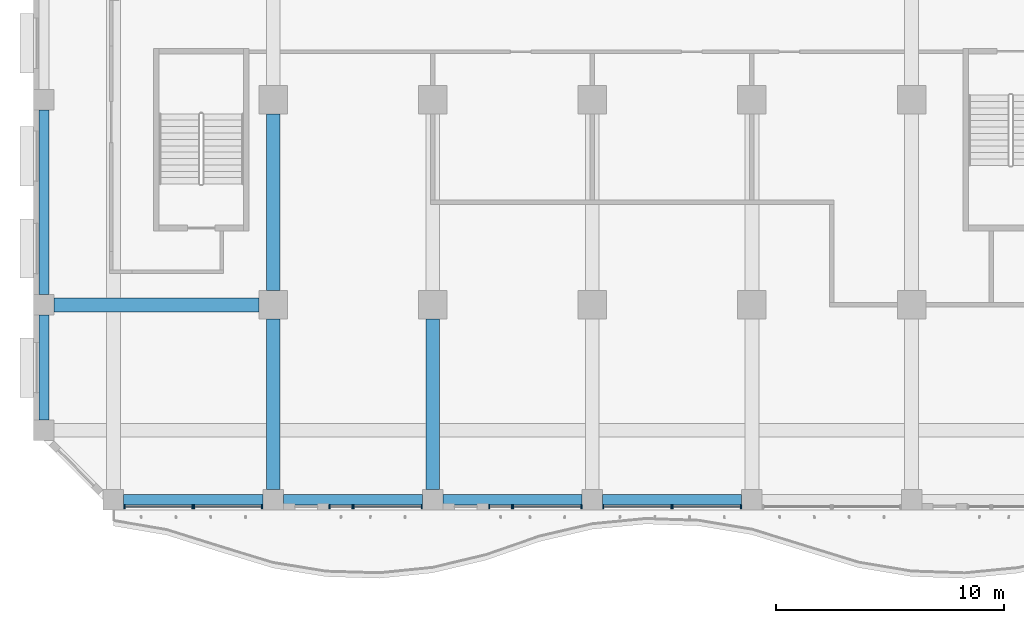
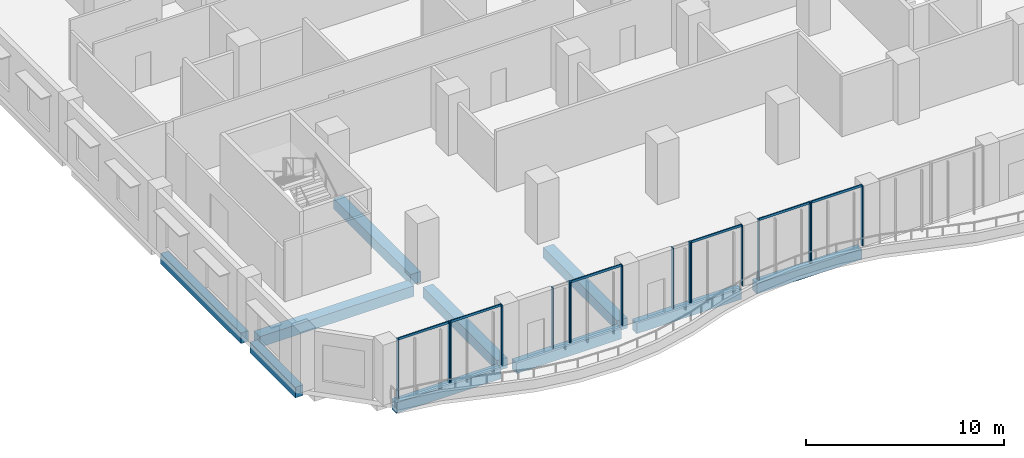
# One storey, part 2 of 27: 22 members, 10 beams, 8 elements without a shape of their own.
"""IFC4 building model written with IfcOpenShell, lengths in metres."""

import ifcopenshell
import ifcopenshell.guid

model = None  # the IFC model being written
_history = None  # IfcOwnerHistory: only IFC2X3 demands one
_inside = {}  # id of a spatial element -> (the spatial element, [elements in it])
_under = {}  # id of a project, library or spatial element -> (it, [spatial elements below it])
_declared = {}  # id of a project -> (the project, [libraries it declares])
_typed = {}  # id of a type object -> (the type object, [elements of that type])
_made_of = {}  # id of a material, layer set ... -> (it, [elements and type objects made of it])


def new_model(schema):
    """Start an empty IFC model of exactly this schema.

    Asked for "IFC4X3", IfcOpenShell would pick the latest addendum, in which some entities
    have other attributes; the version numbers below select the first issue.
    IFC2X3 requires an IfcOwnerHistory on every rooted entity: one is made here for all.
    """
    global model, _history
    if schema == "IFC4X3":
        model = ifcopenshell.file(schema_version=(4, 3, 0, 0))
    else:
        model = ifcopenshell.file(schema=schema)
    _inside.clear()
    _under.clear()
    _declared.clear()
    _typed.clear()
    _made_of.clear()
    _history = None
    if model.schema == "IFC2X3":
        org = make("IfcOrganization", Name="unknown")
        user = make(
            "IfcPersonAndOrganization",
            ThePerson=make("IfcPerson", FamilyName="unknown"),
            TheOrganization=org,
        )
        app = make(
            "IfcApplication",
            ApplicationDeveloper=org,
            Version="unknown",
            ApplicationFullName="unknown",
            ApplicationIdentifier="unknown",
        )
        _history = make(
            "IfcOwnerHistory",
            OwningUser=user,
            OwningApplication=app,
            ChangeAction="ADDED",
            CreationDate=0,
        )
    return model


def make(cls, **values):
    """One entity of the class cls with the attributes given. An attribute that is None is left unset."""
    return model.create_entity(
        cls, **{name: value for name, value in values.items() if value is not None}
    )


def rooted(cls, **values):
    """An entity with a GlobalId (a new one), such as an element, a storey or a relation."""
    return make(cls, GlobalId=ifcopenshell.guid.new(), OwnerHistory=_history, **values)


def si_unit(unit_type, name, prefix=None):
    """IfcSIUnit, for example si_unit("LENGTHUNIT", "METRE", prefix="MILLI")."""
    return make("IfcSIUnit", UnitType=unit_type, Prefix=prefix, Name=name)


def assignment(units):
    """IfcUnitAssignment: the units of a project."""
    return None if units is None else make("IfcUnitAssignment", Units=units)


def point(xyz):
    """IfcCartesianPoint."""
    return None if xyz is None else make("IfcCartesianPoint", Coordinates=xyz)


def direction(xyz):
    """IfcDirection."""
    return None if xyz is None else make("IfcDirection", DirectionRatios=xyz)


def frame(location, z_axis=None, x_axis=None):
    """IfcAxis2Placement3D, a coordinate frame: its origin and axes. An axis left out is left unset."""
    return make(
        "IfcAxis2Placement3D",
        Location=point(location),
        Axis=direction(z_axis),
        RefDirection=direction(x_axis),
    )


def frame_2d(location, x_axis=None):
    """IfcAxis2Placement2D, a coordinate frame in the plane: its origin and x axis."""
    return make(
        "IfcAxis2Placement2D", Location=point(location), RefDirection=direction(x_axis)
    )


def origin():
    """The frame at (0, 0, 0) with its axes left unset."""
    return frame((0.0, 0.0, 0.0))


def origin_2d():
    """The frame at (0, 0) in the plane with its x axis left unset."""
    return frame_2d((0.0, 0.0))


def place(relative_to, where):
    """IfcLocalPlacement: puts the frame where relative to a parent placement (None: the world)."""
    return make(
        "IfcLocalPlacement", PlacementRelTo=relative_to, RelativePlacement=where
    )


def context(
    kind, dimensions, precision=None, world=None, true_north=None, identifier=None
):
    """IfcGeometricRepresentationContext, for example the 3D "Model" context."""
    return make(
        "IfcGeometricRepresentationContext",
        ContextIdentifier=identifier,
        ContextType=kind,
        CoordinateSpaceDimension=dimensions,
        Precision=precision,
        WorldCoordinateSystem=world,
        TrueNorth=true_north,
    )


def subcontext(parent, identifier, kind, view, scale=None):
    """IfcGeometricRepresentationSubContext, for example "Body" below "Model"."""
    return make(
        "IfcGeometricRepresentationSubContext",
        ContextIdentifier=identifier,
        ContextType=kind,
        ParentContext=parent,
        TargetScale=scale,
        TargetView=view,
    )


def project(units=None, contexts=None):
    """IfcProject with its units and contexts."""
    return rooted(
        "IfcProject",
        Name="project",
        RepresentationContexts=contexts,
        UnitsInContext=assignment(units),
    )


def spatial(cls, under=None, at=None, **own):
    """A site, building, storey or space (cls), placed at a placement, below another one or the project."""
    s = rooted(cls, ObjectPlacement=at, **own)
    if under is not None:
        _under.setdefault(under.id(), (under, []))[1].append(s)
    return s


def profile(cls, at=None, kind="AREA", **sizes):
    """A parametric profile (cls). Its sizes go by their IFC names, for example OverallWidth=200.0."""
    return make(cls, ProfileType=kind, Position=at, **sizes)


def rectangle(**sizes):
    """IfcRectangleProfileDef."""
    return profile("IfcRectangleProfileDef", **sizes)


def extrude(swept, where, along, depth):
    """IfcExtrudedAreaSolid: the profile swept, set in the frame where, extruded along a direction by depth."""
    return make(
        "IfcExtrudedAreaSolid",
        SweptArea=swept,
        Position=where,
        ExtrudedDirection=direction(along),
        Depth=depth,
    )


def shape(context_of_items, identifier, shape_type, items):
    """IfcShapeRepresentation: the items that make up one representation, for example the "Body"."""
    return make(
        "IfcShapeRepresentation",
        ContextOfItems=context_of_items,
        RepresentationIdentifier=identifier,
        RepresentationType=shape_type,
        Items=items,
    )


def source(mapping_origin, context_of_items, identifier, shape_type, items):
    """IfcRepresentationMap: a shape defined once, which mapped items show again and again."""
    return make(
        "IfcRepresentationMap",
        MappingOrigin=mapping_origin,
        MappedRepresentation=shape(context_of_items, identifier, shape_type, items),
    )


def transform(
    local_origin,
    x_axis=None,
    y_axis=None,
    z_axis=None,
    scale=None,
    scale2=None,
    scale3=None,
    uniform=True,
):
    """IfcCartesianTransformationOperator3D, or its non-uniform kind. x_axis, y_axis, z_axis: its Axis1, 2, 3."""
    if uniform:
        return make(
            "IfcCartesianTransformationOperator3D",
            Axis1=direction(x_axis),
            Axis2=direction(y_axis),
            LocalOrigin=point(local_origin),
            Scale=scale,
            Axis3=direction(z_axis),
        )
    return make(
        "IfcCartesianTransformationOperator3DnonUniform",
        Axis1=direction(x_axis),
        Axis2=direction(y_axis),
        LocalOrigin=point(local_origin),
        Scale=scale,
        Axis3=direction(z_axis),
        Scale2=scale2,
        Scale3=scale3,
    )


def mapped(mapping_source, mapping_target):
    """IfcMappedItem: shows the shape of a source again, moved by a transform."""
    return make(
        "IfcMappedItem", MappingSource=mapping_source, MappingTarget=mapping_target
    )


def material(Name=None, Category=None):
    """IfcMaterial."""
    return make("IfcMaterial", Name=Name, Category=Category)


def material_profile(
    of_material, cross_section, Name=None, Category=None, Priority=None
):
    """IfcMaterialProfile: a cross section and its material."""
    return make(
        "IfcMaterialProfile",
        Name=Name,
        Material=of_material,
        Profile=cross_section,
        Priority=Priority,
        Category=Category,
    )


def profile_set(profiles, Name=None, composite=None):
    """IfcMaterialProfileSet."""
    return make(
        "IfcMaterialProfileSet",
        Name=Name,
        MaterialProfiles=profiles,
        CompositeProfile=composite,
    )


def made_of(thing, what):
    """Note that an element or type object is made of a material, layer set ...; save() writes the relation."""
    if what is not None:
        _made_of.setdefault(what.id(), (what, []))[1].append(thing)
    return thing


def type_object(cls, material=None, **own):
    """A type object (cls), such as IfcWallType, which elements share."""
    return made_of(rooted(cls, **own), material)


def element(
    cls,
    number,
    at=None,
    inside=None,
    cuts=None,
    type_object=None,
    material=None,
    context=None,
    identifier="Body",
    shape_type=None,
    held_by="IfcProductDefinitionShape",
    body=None,
    shapes=None,
    **own,
):
    """One element of the class cls, such as IfcWall. Its Tag is "e" and its number.

    at: its placement. inside: the storey or other place that contains it. cuts: it is an
    opening in that element (IfcRelVoidsElement). A single representation is given by context,
    identifier, shape_type and body (its items); several are given by shapes. held_by: the class
    of the entity that holds the representations. save() writes the other relations.
    """
    e = rooted(cls, Tag="e%d" % number, ObjectPlacement=at, **own)
    if body is not None:
        shapes = [shape(context, identifier, shape_type, body)]
    if shapes is not None:
        e.Representation = make(held_by, Representations=shapes)
    if inside is not None:
        _inside.setdefault(inside.id(), (inside, []))[1].append(e)
    if cuts is not None:
        rooted(
            "IfcRelVoidsElement", RelatingBuildingElement=cuts, RelatedOpeningElement=e
        )
    if type_object is not None:
        _typed.setdefault(type_object.id(), (type_object, []))[1].append(e)
    return made_of(e, material)


def aggregate(whole, parts):
    """IfcRelAggregates: a whole, such as a stair, and the parts it consists of."""
    return rooted("IfcRelAggregates", RelatingObject=whole, RelatedObjects=parts)


def save(model, path):
    """Write the relations noted so far, then the file.

    IfcRelAggregates (storeys below a building ...), IfcRelContainedInSpatialStructure (elements
    in a storey), IfcRelDefinesByType, IfcRelAssociatesMaterial and IfcRelDeclares: one each for
    every whole, place, type object, material and project.
    """
    for whole, parts in _under.values():
        aggregate(whole, parts)
    for where, things in _inside.values():
        rooted(
            "IfcRelContainedInSpatialStructure",
            RelatedElements=things,
            RelatingStructure=where,
        )
    for kind, things in _typed.values():
        rooted("IfcRelDefinesByType", RelatedObjects=things, RelatingType=kind)
    for what, things in _made_of.values():
        rooted("IfcRelAssociatesMaterial", RelatedObjects=things, RelatingMaterial=what)
    for by, libraries in _declared.values():
        rooted("IfcRelDeclares", RelatingContext=by, RelatedDefinitions=libraries)
    model.write(path)


model = new_model("IFC4")

# Units and contexts
model_context = context("Model", 3, precision=1e-05, world=origin(), true_north=direction((0.0, 1.0)))
body_context = subcontext(model_context, "Body", "Model", "MODEL_VIEW")
ifc_project = project(units=[si_unit("LENGTHUNIT", "METRE"), si_unit("AREAUNIT", "SQUARE_METRE"), si_unit("VOLUMEUNIT", "CUBIC_METRE"), si_unit("PLANEANGLEUNIT", "RADIAN"), si_unit("MASSUNIT", "GRAM", prefix="KILO")], contexts=[model_context])

# Site, building, storey
site_placement = place(None, origin())
site = spatial("IfcSite", under=ifc_project, at=site_placement, CompositionType="ELEMENT")
building_placement = place(site_placement, origin())
building = spatial("IfcBuilding", under=site, at=building_placement, Name="Kilnfold Tower and Market Hall", CompositionType="ELEMENT")
storey_placement = place(building_placement, frame((0.0, 0.0, 71.199951171875)))
storey = spatial("IfcBuildingStorey", under=building, at=storey_placement, Name="L16", CompositionType="ELEMENT", Elevation=71.199951171875)

# Beams
ifc_material_1 = material(Name="Concrete C45", Category="concrete")
ifc_material_profile_1 = material_profile(ifc_material_1, rectangle(XDim=0.449951171875, YDim=0.64990234375, at=origin_2d()), Name="RC 450x650")
ifc_profile_set_1 = profile_set([ifc_material_profile_1], Name="Concrete C45")
beam_type_1 = type_object("IfcBeamType", Name="EDGE BEAM 450X650 C45", PredefinedType="BEAM", material=ifc_profile_set_1)
shared_shape_1 = source(origin(), body_context, "Body", "SweptSolid", [
    extrude(rectangle(XDim=0.449951171875, YDim=0.64990234375, at=origin_2d()), origin(), (0.0, 0.0, 1.0), 6.10009765625),
])
for number, where, z_axis, x_axis, name in (
    (1, (-19.050048828125, -27.550048828125, -0.60498046875), (1.0, 0.0, 0.0), (0.0, 1.0, 0.0), "Beam EB650-B2.60"),
    (2, (-12.050048828125, -27.550048828125, -0.60498046875), (1.0, 0.0, 0.0), (0.0, 1.0, 0.0), "Beam EB650-B2.61"),
    (3, (-5.050048828125, -27.550048828125, -0.60498046875), (1.0, 0.0, 0.0), (0.0, 1.0, 0.0), "Beam EB650-B2.62"),
    (4, (1.949951171875, -27.550048828125, -0.60498046875), (1.0, 0.0, 0.0), (0.0, 1.0, 0.0), "Beam EB650-B2.63"),
):
    element("IfcBeam", number, at=place(storey_placement, frame(where, z_axis=z_axis, x_axis=x_axis)), inside=storey, type_object=beam_type_1, Name=name, PredefinedType="BEAM", context=body_context, shape_type="MappedRepresentation", body=[
        mapped(shared_shape_1, transform((0.0, 0.0, 0.0))),
    ])
shared_shape_2 = source(origin(), body_context, "Body", "SweptSolid", [
    extrude(rectangle(XDim=0.449951171875, YDim=0.64990234375, at=origin_2d()), origin(), (0.0, 0.0, 1.0), 4.60009765625),
])
beam_1_placement = place(storey_placement, frame((-22.550048828125, -24.050048828125, -0.60498046875), z_axis=(0.0, 1.0, 0.0), x_axis=(-1.0, 0.0, 0.0)))
element("IfcBeam", 5, at=beam_1_placement, inside=storey, type_object=beam_type_1, Name="Beam EB650-B2.37", PredefinedType="BEAM", context=body_context, shape_type="MappedRepresentation", body=[
    mapped(shared_shape_2, transform((0.0, 0.0, 0.0))),
])
shared_shape_3 = source(origin(), body_context, "Body", "SweptSolid", [
    extrude(rectangle(XDim=0.449951171875, YDim=0.64990234375, at=origin_2d()), origin(), (0.0, 0.0, 1.0), 8.10009765625),
])
beam_2_placement = place(storey_placement, frame((-22.550048828125, -18.550048828125, -0.60498046875), z_axis=(0.0, 1.0, 0.0), x_axis=(-1.0, 0.0, 0.0)))
element("IfcBeam", 6, at=beam_2_placement, inside=storey, type_object=beam_type_1, Name="Beam EB650-B2.38", PredefinedType="BEAM", context=body_context, shape_type="MappedRepresentation", body=[
    mapped(shared_shape_3, transform((0.0, 0.0, 0.0))),
])
ifc_material_2 = material(Name="Concrete C45", Category="concrete")
ifc_material_profile_2 = material_profile(ifc_material_2, rectangle(XDim=0.60009765625, YDim=0.64990234375, at=origin_2d()), Name="RC 600x650")
ifc_profile_set_2 = profile_set([ifc_material_profile_2], Name="Concrete C45")
beam_type_2 = type_object("IfcBeamType", Name="BEAM 600X650 C45", PredefinedType="BEAM", material=ifc_profile_set_2)
shared_shape_4 = source(origin(), body_context, "Body", "SweptSolid", [
    extrude(rectangle(XDim=0.60009765625, YDim=0.64990234375, at=origin_2d()), origin(), (0.0, 0.0, 1.0), 8.97509765625),
])
beam_3_placement = place(storey_placement, frame((-22.10009765625, -19.0, -0.60498046875), z_axis=(1.0, 0.0, 0.0), x_axis=(0.0, 1.0, 0.0)))
element("IfcBeam", 7, at=beam_3_placement, inside=storey, type_object=beam_type_2, Name="Beam BB650-B2.68", PredefinedType="BEAM", context=body_context, shape_type="MappedRepresentation", body=[
    mapped(shared_shape_4, transform((0.0, 0.0, 0.0))),
])
shared_shape_5 = source(origin(), body_context, "Body", "SweptSolid", [
    extrude(rectangle(XDim=0.60009765625, YDim=0.64990234375, at=origin_2d()), origin(), (0.0, 0.0, 1.0), 7.47509765625),
])
for number, where, z_axis, x_axis, name in (
    (8, (-12.5, -27.10009765625, -0.60498046875), (0.0, 1.0, 0.0), (-1.0, 0.0, 0.0), "Beam BB650-B2.82"),
    (9, (-5.5, -27.10009765625, -0.60498046875), (0.0, 1.0, 0.0), (-1.0, 0.0, 0.0), "Beam BB650-B2.85"),
):
    element("IfcBeam", number, at=place(storey_placement, frame(where, z_axis=z_axis, x_axis=x_axis)), inside=storey, type_object=beam_type_2, Name=name, PredefinedType="BEAM", context=body_context, shape_type="MappedRepresentation", body=[
        mapped(shared_shape_5, transform((0.0, 0.0, 0.0))),
    ])
shared_shape_6 = source(origin(), body_context, "Body", "SweptSolid", [
    extrude(rectangle(XDim=0.60009765625, YDim=0.64990234375, at=origin_2d()), origin(), (0.0, 0.0, 1.0), 7.75),
])
beam_4_placement = place(storey_placement, frame((-12.5, -18.375, -0.60498046875), z_axis=(0.0, 1.0, 0.0), x_axis=(-1.0, 0.0, 0.0)))
element("IfcBeam", 10, at=beam_4_placement, inside=storey, type_object=beam_type_2, Name="Beam BB650-B2.83", PredefinedType="BEAM", context=body_context, shape_type="MappedRepresentation", body=[
    mapped(shared_shape_6, transform((0.0, 0.0, 0.0))),
])

# Curtain wall, members
ifc_material_3 = material(Name="Aluminium and double glazing", Category="aluminium")
curtain_wall_type = type_object("IfcCurtainWallType", Name="CW OF1 VALLEY GLAZING", PredefinedType="NOTDEFINED", material=ifc_material_3)
curtain_wall_1_placement = place(storey_placement, origin())
curtain_wall_1 = element("IfcCurtainWall", 11, at=curtain_wall_1_placement, inside=storey, type_object=curtain_wall_type, Name="Curtain wall CW1 L16 S", PredefinedType="NOTDEFINED")
ifc_material_4 = material(Name="Aluminium", Category="aluminium")
ifc_material_profile_3 = material_profile(ifc_material_4, rectangle(XDim=0.06005859375, YDim=0.179931640625, at=origin_2d()), Name="MULLION 60x180")
ifc_profile_set_3 = profile_set([ifc_material_profile_3], Name="Aluminium")
member_type_1 = type_object("IfcMemberType", Name="MULLION 60X180", PredefinedType="MULLION", material=ifc_profile_set_3)
shared_shape_7 = source(origin(), body_context, "Body", "SweptSolid", [
    extrude(rectangle(XDim=0.06005859375, YDim=0.179931640625, at=origin_2d()), origin(), (0.0, 0.0, 1.0), 3.719970703125),
])
member_1_placement = place(storey_placement, frame((-19.02001953125, -27.85009765625, 0.0), z_axis=(0.0, 0.0, 1.0), x_axis=(1.0, 0.0, 0.0)))
member_1 = element("IfcMember", 12, at=member_1_placement, type_object=member_type_1, Name="CW1 mullion 1", PredefinedType="MULLION", context=body_context, shape_type="MappedRepresentation", body=[
    mapped(shared_shape_7, transform((0.0, 0.0, 0.0))),
])
member_2_placement = place(storey_placement, frame((-16.030029296875, -27.85009765625, 0.0), z_axis=(0.0, 0.0, 1.0), x_axis=(1.0, 0.0, 0.0)))
member_2 = element("IfcMember", 13, at=member_2_placement, type_object=member_type_1, Name="CW1 mullion 2", PredefinedType="MULLION", context=body_context, shape_type="MappedRepresentation", body=[
    mapped(shared_shape_7, transform((0.0, 0.0, 0.0))),
])

curtain_wall_2_placement = place(storey_placement, origin())
curtain_wall_2 = element("IfcCurtainWall", 14, at=curtain_wall_2_placement, inside=storey, type_object=curtain_wall_type, Name="Curtain wall CW1 L16 S", PredefinedType="NOTDEFINED")
member_3_placement = place(storey_placement, frame((-15.969970703125, -27.85009765625, 0.0), z_axis=(0.0, 0.0, 1.0), x_axis=(1.0, 0.0, 0.0)))
member_3 = element("IfcMember", 15, at=member_3_placement, type_object=member_type_1, Name="CW1 mullion 1", PredefinedType="MULLION", context=body_context, shape_type="MappedRepresentation", body=[
    mapped(shared_shape_7, transform((0.0, 0.0, 0.0))),
])
member_4_placement = place(storey_placement, frame((-12.97998046875, -27.85009765625, 0.0), z_axis=(0.0, 0.0, 1.0), x_axis=(1.0, 0.0, 0.0)))
member_4 = element("IfcMember", 16, at=member_4_placement, type_object=member_type_1, Name="CW1 mullion 2", PredefinedType="MULLION", context=body_context, shape_type="MappedRepresentation", body=[
    mapped(shared_shape_7, transform((0.0, 0.0, 0.0))),
])

curtain_wall_3_placement = place(storey_placement, origin())
curtain_wall_3 = element("IfcCurtainWall", 17, at=curtain_wall_3_placement, inside=storey, type_object=curtain_wall_type, Name="Curtain wall CW1 L16 S", PredefinedType="NOTDEFINED")
member_5_placement = place(storey_placement, frame((-10.02001953125, -27.85009765625, 0.0), z_axis=(0.0, 0.0, 1.0), x_axis=(1.0, 0.0, 0.0)))
member_5 = element("IfcMember", 18, at=member_5_placement, type_object=member_type_1, Name="CW1 mullion 1", PredefinedType="MULLION", context=body_context, shape_type="MappedRepresentation", body=[
    mapped(shared_shape_7, transform((0.0, 0.0, 0.0))),
])
member_6_placement = place(storey_placement, frame((-9.030029296875, -27.85009765625, 0.0), z_axis=(0.0, 0.0, 1.0), x_axis=(1.0, 0.0, 0.0)))
member_6 = element("IfcMember", 19, at=member_6_placement, type_object=member_type_1, Name="CW1 mullion 2", PredefinedType="MULLION", context=body_context, shape_type="MappedRepresentation", body=[
    mapped(shared_shape_7, transform((0.0, 0.0, 0.0))),
])
aggregate(curtain_wall_3, [member_5, member_6])

curtain_wall_4_placement = place(storey_placement, origin())
curtain_wall_4 = element("IfcCurtainWall", 20, at=curtain_wall_4_placement, inside=storey, type_object=curtain_wall_type, Name="Curtain wall CW1 L16 S", PredefinedType="NOTDEFINED")
member_7_placement = place(storey_placement, frame((-8.969970703125, -27.85009765625, 0.0), z_axis=(0.0, 0.0, 1.0), x_axis=(1.0, 0.0, 0.0)))
member_7 = element("IfcMember", 21, at=member_7_placement, type_object=member_type_1, Name="CW1 mullion 1", PredefinedType="MULLION", context=body_context, shape_type="MappedRepresentation", body=[
    mapped(shared_shape_7, transform((0.0, 0.0, 0.0))),
])
member_8_placement = place(storey_placement, frame((-5.97998046875, -27.85009765625, 0.0), z_axis=(0.0, 0.0, 1.0), x_axis=(1.0, 0.0, 0.0)))
member_8 = element("IfcMember", 22, at=member_8_placement, type_object=member_type_1, Name="CW1 mullion 2", PredefinedType="MULLION", context=body_context, shape_type="MappedRepresentation", body=[
    mapped(shared_shape_7, transform((0.0, 0.0, 0.0))),
])

curtain_wall_5_placement = place(storey_placement, origin())
curtain_wall_5 = element("IfcCurtainWall", 23, at=curtain_wall_5_placement, inside=storey, type_object=curtain_wall_type, Name="Curtain wall CW1 L16 S", PredefinedType="NOTDEFINED")
member_9_placement = place(storey_placement, frame((-3.02001953125, -27.85009765625, 0.0), z_axis=(0.0, 0.0, 1.0), x_axis=(1.0, 0.0, 0.0)))
member_9 = element("IfcMember", 24, at=member_9_placement, type_object=member_type_1, Name="CW1 mullion 1", PredefinedType="MULLION", context=body_context, shape_type="MappedRepresentation", body=[
    mapped(shared_shape_7, transform((0.0, 0.0, 0.0))),
])
member_10_placement = place(storey_placement, frame((-2.030029296875, -27.85009765625, 0.0), z_axis=(0.0, 0.0, 1.0), x_axis=(1.0, 0.0, 0.0)))
member_10 = element("IfcMember", 25, at=member_10_placement, type_object=member_type_1, Name="CW1 mullion 2", PredefinedType="MULLION", context=body_context, shape_type="MappedRepresentation", body=[
    mapped(shared_shape_7, transform((0.0, 0.0, 0.0))),
])
aggregate(curtain_wall_5, [member_9, member_10])

curtain_wall_6_placement = place(storey_placement, origin())
curtain_wall_6 = element("IfcCurtainWall", 26, at=curtain_wall_6_placement, inside=storey, type_object=curtain_wall_type, Name="Curtain wall CW1 L16 S", PredefinedType="NOTDEFINED")
member_11_placement = place(storey_placement, frame((-1.969970703125, -27.85009765625, 0.0), z_axis=(0.0, 0.0, 1.0), x_axis=(1.0, 0.0, 0.0)))
member_11 = element("IfcMember", 27, at=member_11_placement, type_object=member_type_1, Name="CW1 mullion 1", PredefinedType="MULLION", context=body_context, shape_type="MappedRepresentation", body=[
    mapped(shared_shape_7, transform((0.0, 0.0, 0.0))),
])
member_12_placement = place(storey_placement, frame((1.02001953125, -27.85009765625, 0.0), z_axis=(0.0, 0.0, 1.0), x_axis=(1.0, 0.0, 0.0)))
member_12 = element("IfcMember", 28, at=member_12_placement, type_object=member_type_1, Name="CW1 mullion 2", PredefinedType="MULLION", context=body_context, shape_type="MappedRepresentation", body=[
    mapped(shared_shape_7, transform((0.0, 0.0, 0.0))),
])

curtain_wall_7_placement = place(storey_placement, origin())
curtain_wall_7 = element("IfcCurtainWall", 29, at=curtain_wall_7_placement, inside=storey, type_object=curtain_wall_type, Name="Curtain wall CW1 L16 S", PredefinedType="NOTDEFINED")
member_13_placement = place(storey_placement, frame((1.97998046875, -27.85009765625, 0.0), z_axis=(0.0, 0.0, 1.0), x_axis=(1.0, 0.0, 0.0)))
member_13 = element("IfcMember", 30, at=member_13_placement, type_object=member_type_1, Name="CW1 mullion 1", PredefinedType="MULLION", context=body_context, shape_type="MappedRepresentation", body=[
    mapped(shared_shape_7, transform((0.0, 0.0, 0.0))),
])
member_14_placement = place(storey_placement, frame((4.969970703125, -27.85009765625, 0.0), z_axis=(0.0, 0.0, 1.0), x_axis=(1.0, 0.0, 0.0)))
member_14 = element("IfcMember", 31, at=member_14_placement, type_object=member_type_1, Name="CW1 mullion 2", PredefinedType="MULLION", context=body_context, shape_type="MappedRepresentation", body=[
    mapped(shared_shape_7, transform((0.0, 0.0, 0.0))),
])

curtain_wall_8_placement = place(storey_placement, origin())
curtain_wall_8 = element("IfcCurtainWall", 32, at=curtain_wall_8_placement, inside=storey, type_object=curtain_wall_type, Name="Curtain wall CW1 L16 S", PredefinedType="NOTDEFINED")
member_15_placement = place(storey_placement, frame((5.030029296875, -27.85009765625, 0.0), z_axis=(0.0, 0.0, 1.0), x_axis=(1.0, 0.0, 0.0)))
member_15 = element("IfcMember", 33, at=member_15_placement, type_object=member_type_1, Name="CW1 mullion 1", PredefinedType="MULLION", context=body_context, shape_type="MappedRepresentation", body=[
    mapped(shared_shape_7, transform((0.0, 0.0, 0.0))),
])
member_16_placement = place(storey_placement, frame((8.02001953125, -27.85009765625, 0.0), z_axis=(0.0, 0.0, 1.0), x_axis=(1.0, 0.0, 0.0)))
member_16 = element("IfcMember", 34, at=member_16_placement, type_object=member_type_1, Name="CW1 mullion 2", PredefinedType="MULLION", context=body_context, shape_type="MappedRepresentation", body=[
    mapped(shared_shape_7, transform((0.0, 0.0, 0.0))),
])

# Member
ifc_material_5 = material(Name="Aluminium", Category="aluminium")
ifc_material_profile_4 = material_profile(ifc_material_5, rectangle(XDim=0.06005859375, YDim=0.139892578125, at=origin_2d()), Name="TRANSOM 60x140")
ifc_profile_set_4 = profile_set([ifc_material_profile_4], Name="Aluminium")
member_type_2 = type_object("IfcMemberType", Name="TRANSOM 60X140", PredefinedType="USERDEFINED", material=ifc_profile_set_4)
shared_shape_8 = source(origin(), body_context, "Body", "SweptSolid", [
    extrude(rectangle(XDim=0.06005859375, YDim=0.139892578125, at=origin_2d()), origin(), (0.0, 0.0, 1.0), 2.929931640625),
])
member_17_placement = place(storey_placement, frame((-18.989990234375, -27.85009765625, 3.68994140625), z_axis=(1.0, 0.0, 0.0), x_axis=(0.0, 1.0, 0.0)))
member_17 = element("IfcMember", 35, at=member_17_placement, type_object=member_type_2, Name="CW1 transom 1.2", ObjectType="TRANSOM", PredefinedType="USERDEFINED", context=body_context, shape_type="MappedRepresentation", body=[
    mapped(shared_shape_8, transform((0.0, 0.0, 0.0))),
])

aggregate(curtain_wall_1, [member_1, member_2, member_17])

member_18_placement = place(storey_placement, frame((-15.93994140625, -27.85009765625, 3.68994140625), z_axis=(1.0, 0.0, 0.0), x_axis=(0.0, 1.0, 0.0)))
member_18 = element("IfcMember", 36, at=member_18_placement, type_object=member_type_2, Name="CW1 transom 1.2", ObjectType="TRANSOM", PredefinedType="USERDEFINED", context=body_context, shape_type="MappedRepresentation", body=[
    mapped(shared_shape_8, transform((0.0, 0.0, 0.0))),
])

aggregate(curtain_wall_2, [member_3, member_4, member_18])

member_19_placement = place(storey_placement, frame((-8.93994140625, -27.85009765625, 3.68994140625), z_axis=(1.0, 0.0, 0.0), x_axis=(0.0, 1.0, 0.0)))
member_19 = element("IfcMember", 37, at=member_19_placement, type_object=member_type_2, Name="CW1 transom 1.2", ObjectType="TRANSOM", PredefinedType="USERDEFINED", context=body_context, shape_type="MappedRepresentation", body=[
    mapped(shared_shape_8, transform((0.0, 0.0, 0.0))),
])

aggregate(curtain_wall_4, [member_7, member_8, member_19])

member_20_placement = place(storey_placement, frame((-1.93994140625, -27.85009765625, 3.68994140625), z_axis=(1.0, 0.0, 0.0), x_axis=(0.0, 1.0, 0.0)))
member_20 = element("IfcMember", 38, at=member_20_placement, type_object=member_type_2, Name="CW1 transom 1.2", ObjectType="TRANSOM", PredefinedType="USERDEFINED", context=body_context, shape_type="MappedRepresentation", body=[
    mapped(shared_shape_8, transform((0.0, 0.0, 0.0))),
])

aggregate(curtain_wall_6, [member_11, member_12, member_20])

member_21_placement = place(storey_placement, frame((2.010009765625, -27.85009765625, 3.68994140625), z_axis=(1.0, 0.0, 0.0), x_axis=(0.0, 1.0, 0.0)))
member_21 = element("IfcMember", 39, at=member_21_placement, type_object=member_type_2, Name="CW1 transom 1.2", ObjectType="TRANSOM", PredefinedType="USERDEFINED", context=body_context, shape_type="MappedRepresentation", body=[
    mapped(shared_shape_8, transform((0.0, 0.0, 0.0))),
])

aggregate(curtain_wall_7, [member_13, member_14, member_21])

member_22_placement = place(storey_placement, frame((5.06005859375, -27.85009765625, 3.68994140625), z_axis=(1.0, 0.0, 0.0), x_axis=(0.0, 1.0, 0.0)))
member_22 = element("IfcMember", 40, at=member_22_placement, type_object=member_type_2, Name="CW1 transom 1.2", ObjectType="TRANSOM", PredefinedType="USERDEFINED", context=body_context, shape_type="MappedRepresentation", body=[
    mapped(shared_shape_8, transform((0.0, 0.0, 0.0))),
])

aggregate(curtain_wall_8, [member_15, member_16, member_22])

save(model, "model.ifc")
